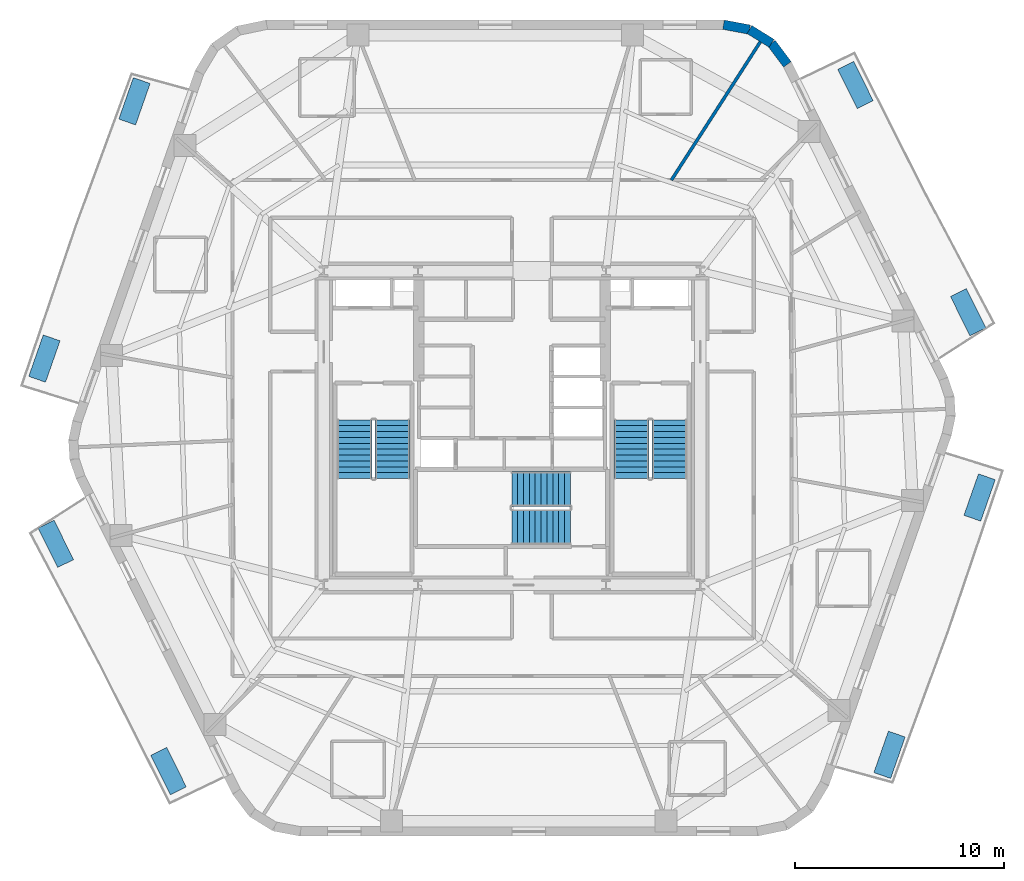
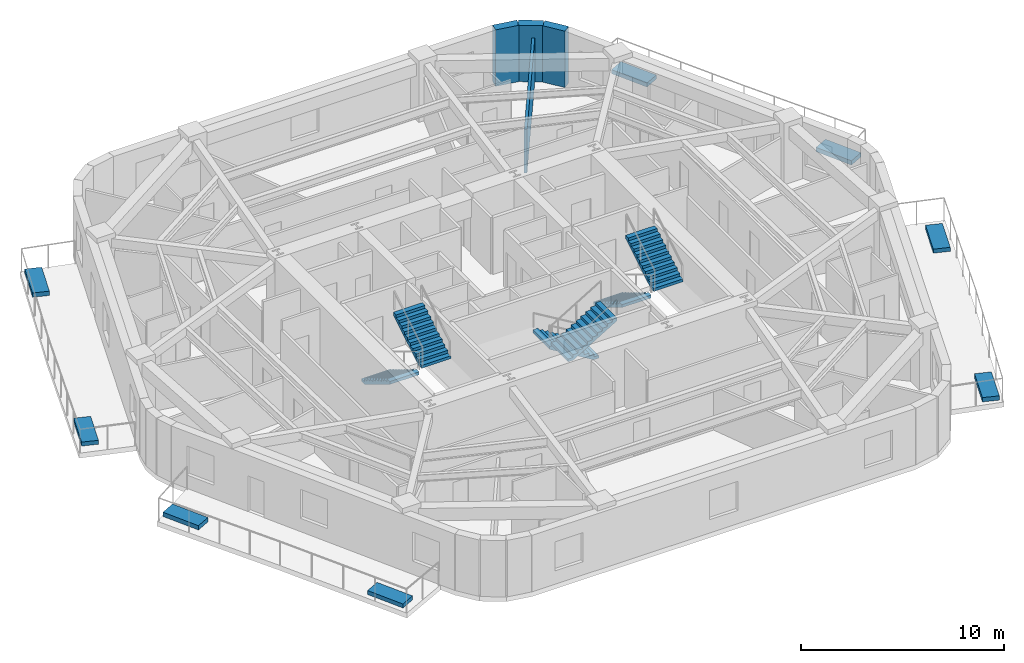
# One storey, part 7 of 10: 8 discrete accessories, 6 stair flights, 4 walls, 3 elements without a shape of their own.
"""IFC4 building model written with IfcOpenShell, lengths in metres."""

from ifc_helpers import new_model, si_unit, direction, frame, frame_2d, origin, origin_2d, place, context, subcontext, project, spatial, polyline, rectangle, outline, extrude, material, layer, layer_set, type_object, element, aggregate, save


model = new_model("IFC4")

# Units and contexts
model_context = context("Model", 3, precision=1e-05, world=origin(), true_north=direction((0.0, 1.0)))
body_context = subcontext(model_context, "Body", "Model", "MODEL_VIEW")
ifc_project = project(units=[si_unit("LENGTHUNIT", "METRE"), si_unit("AREAUNIT", "SQUARE_METRE"), si_unit("VOLUMEUNIT", "CUBIC_METRE"), si_unit("PLANEANGLEUNIT", "RADIAN"), si_unit("MASSUNIT", "GRAM", prefix="KILO")], contexts=[model_context])

# Site, building, storey
site_placement = place(None, origin())
site = spatial("IfcSite", under=ifc_project, at=site_placement, CompositionType="ELEMENT")
building_placement = place(site_placement, origin())
building = spatial("IfcBuilding", under=site, at=building_placement, Name="Kilnhurst Terrace Hotel", CompositionType="ELEMENT")
storey_placement = place(building_placement, frame((0.0, 0.0, 144.300048828125)))
storey = spatial("IfcBuildingStorey", under=building, at=storey_placement, Name="L35", CompositionType="ELEMENT", Elevation=144.300048828125)

# Walls
ifc_material_1 = material(Name="Precast concrete C40/50", Category="concrete")
ifc_layer_1 = layer(ifc_material_1, 0.449951171875, Name="Precast concrete C40/50")
ifc_layer_set_1 = layer_set([ifc_layer_1], Name="Precast concrete C40/50")
wall_type_1 = type_object("IfcWallType", Name="WL-BRK-450", PredefinedType="SOLIDWALL", material=ifc_layer_set_1)
wall_1_placement = place(storey_placement, frame((13.162353515625, 17.380615234375, 0.0), z_axis=(0.0, 0.0, 1.0), x_axis=(-0.601515770517, 0.798860925205, 0.0)))
element("IfcWall", 1, at=wall_1_placement, inside=storey, type_object=wall_type_1, Name="L35 Rounded Corner Brick Wall C4.1", PredefinedType="SOLIDWALL", context=body_context, shape_type="SweptSolid", body=[
    extrude(rectangle(XDim=1.261962890625, YDim=0.449951171875, at=frame_2d((0.630859375, 0.0))), origin(), (0.0, 0.0, 1.0), 3.39990234375),
])
wall_2_placement = place(storey_placement, frame((12.4033203125, 18.388671875, 0.0), z_axis=(0.0, 0.0, 1.0), x_axis=(-0.849795170926, 0.527113049991, 0.0)))
element("IfcWall", 2, at=wall_2_placement, inside=storey, type_object=wall_type_1, Name="L35 Rounded Corner Brick Wall C4.2", PredefinedType="SOLIDWALL", context=body_context, shape_type="SweptSolid", body=[
    extrude(rectangle(XDim=1.24072265625, YDim=0.449951171875, at=frame_2d((0.620361328125, 0.0))), origin(), (0.0, 0.0, 1.0), 3.39990234375),
])
wall_3_placement = place(storey_placement, frame((11.348876953125, 19.042724609375, 0.0), z_axis=(0.0, 0.0, 1.0), x_axis=(-0.982931267051, 0.183973161772, 0.0)))
element("IfcWall", 3, at=wall_3_placement, inside=storey, type_object=wall_type_1, Name="L35 Rounded Corner Brick Wall C4.3", PredefinedType="SOLIDWALL", context=body_context, shape_type="SweptSolid", body=[
    extrude(rectangle(XDim=1.261962890625, YDim=0.449951171875, at=frame_2d((0.630859375, 0.0))), origin(), (0.0, 0.0, 1.0), 3.39990234375),
])
ifc_material_2 = material(Name="STC-58 Acoustic Twin-Frame Guestroom Demising Partition")
ifc_layer_2 = layer(ifc_material_2, 0.14990234375, Name="STC-58 Acoustic Twin-Frame Guestroom Demising Partition")
ifc_layer_set_2 = layer_set([ifc_layer_2], Name="STC-58 Acoustic Twin-Frame Guestroom Demising Partition")
wall_type_2 = type_object("IfcWallType", Name="WL-DEM-150", PredefinedType="PARTITIONING", material=ifc_layer_set_2)
wall_4_placement = place(storey_placement, frame((7.619140625, 11.85009765625, 0.0), z_axis=(0.0, 0.0, 1.0), x_axis=(0.540829263478, 0.841132396098, 0.0)))
element("IfcWall", 4, at=wall_4_placement, inside=storey, type_object=wall_type_2, Name="L35 Interior Wall WL-L35-DEM-MID02-05-1", PredefinedType="PARTITIONING", context=body_context, shape_type="SweptSolid", body=[
    extrude(rectangle(XDim=7.919189453125, YDim=0.14990234375, at=frame_2d((3.95947265625, 0.0))), origin(), (0.0, 0.0, 1.0), 2.639892578125),
])

# Stair, stair flights
ifc_material_3 = material(Name="Concrete C50/60", Category="concrete")
stair_type = type_object("IfcStairType", Name="STR-CORE-1660", PredefinedType="HALF_TURN_STAIR", material=ifc_material_3)
stair_1_placement = place(storey_placement, origin())
stair_1 = element("IfcStair", 5, at=stair_1_placement, inside=storey, type_object=stair_type, Name="L35 ST-1", PredefinedType="HALF_TURN_STAIR")
stair_flight_type = type_object("IfcStairFlightType", Name="FLT-RC-1660", PredefinedType="STRAIGHT", material=ifc_material_3)
stair_flight_1_placement = place(storey_placement, frame((-7.52001953125, 0.389892578125, 0.0), z_axis=(0.0, 0.0, 1.0), x_axis=(0.0, -1.0, 0.0)))
stair_flight_1 = element("IfcStairFlight", 6, at=stair_flight_1_placement, type_object=stair_flight_type, Name="ST-1 flight 1", NumberOfRisers=11, NumberOfTreads=10, PredefinedType="STRAIGHT", RiserHeight=0.168181818, TreadLength=0.28, context=body_context, shape_type="SweptSolid", body=[
    extrude(outline(polyline([(0.0, 0.0), (0.0, 0.168212890625), (0.280029296875, 0.168212890625), (0.280029296875, 0.33642578125), (0.56005859375, 0.33642578125), (0.56005859375, 0.504638671875), (0.840087890625, 0.504638671875), (0.840087890625, 0.672607421875), (1.1201171875, 0.672607421875), (1.1201171875, 0.8408203125), (1.39990234375, 0.8408203125), (1.39990234375, 1.009033203125), (1.679931640625, 1.009033203125), (1.679931640625, 1.17724609375), (1.9599609375, 1.17724609375), (1.9599609375, 1.345458984375), (2.239990234375, 1.345458984375), (2.239990234375, 1.513671875), (2.52001953125, 1.513671875), (2.52001953125, 1.681884765625), (2.800048828125, 1.681884765625), (2.800048828125, 1.85009765625), (2.800048828125, 1.5068359375), (0.291015625, 0.0), (0.0, 0.0)])), frame((0.0, 0.830078125, 0.0), z_axis=(0.0, -1.0, 0.0), x_axis=(1.0, 0.0, 0.0)), (0.0, 0.0, 1.0), 1.659912109375),
])
stair_flight_2_placement = place(storey_placement, frame((-5.7099609375, -2.409912109375, 1.849853515625), z_axis=(0.0, 0.0, 1.0), x_axis=(0.0, 1.0, 0.0)))
stair_flight_2 = element("IfcStairFlight", 7, at=stair_flight_2_placement, type_object=stair_flight_type, Name="ST-1 flight 2", NumberOfRisers=11, NumberOfTreads=10, PredefinedType="STRAIGHT", RiserHeight=0.168181818, TreadLength=0.28, context=body_context, shape_type="SweptSolid", body=[
    extrude(outline(polyline([(0.0, 0.0), (0.0, 0.168212890625), (0.280029296875, 0.168212890625), (0.280029296875, 0.33642578125), (0.56005859375, 0.33642578125), (0.56005859375, 0.504638671875), (0.840087890625, 0.504638671875), (0.840087890625, 0.672607421875), (1.1201171875, 0.672607421875), (1.1201171875, 0.8408203125), (1.39990234375, 0.8408203125), (1.39990234375, 1.009033203125), (1.679931640625, 1.009033203125), (1.679931640625, 1.17724609375), (1.9599609375, 1.17724609375), (1.9599609375, 1.345458984375), (2.239990234375, 1.345458984375), (2.239990234375, 1.513671875), (2.52001953125, 1.513671875), (2.52001953125, 1.681884765625), (2.800048828125, 1.681884765625), (2.800048828125, 1.85009765625), (2.800048828125, 1.5068359375), (0.291015625, 0.0), (0.0, 0.0)])), frame((0.0, 0.830078125, 0.0), z_axis=(0.0, -1.0, 0.0), x_axis=(1.0, 0.0, 0.0)), (0.0, 0.0, 1.0), 1.659912109375),
])
aggregate(stair_1, [stair_flight_1, stair_flight_2])

stair_2_placement = place(storey_placement, origin())
stair_2 = element("IfcStair", 8, at=stair_2_placement, inside=storey, type_object=stair_type, Name="L35 ST-2", PredefinedType="HALF_TURN_STAIR")
stair_flight_3_placement = place(storey_placement, frame((5.7099609375, 0.389892578125, 0.0), z_axis=(0.0, 0.0, 1.0), x_axis=(0.0, -1.0, 0.0)))
stair_flight_3 = element("IfcStairFlight", 9, at=stair_flight_3_placement, type_object=stair_flight_type, Name="ST-2 flight 1", NumberOfRisers=11, NumberOfTreads=10, PredefinedType="STRAIGHT", RiserHeight=0.168181818, TreadLength=0.28, context=body_context, shape_type="SweptSolid", body=[
    extrude(outline(polyline([(0.0, 0.0), (0.0, 0.168212890625), (0.280029296875, 0.168212890625), (0.280029296875, 0.33642578125), (0.56005859375, 0.33642578125), (0.56005859375, 0.504638671875), (0.840087890625, 0.504638671875), (0.840087890625, 0.672607421875), (1.1201171875, 0.672607421875), (1.1201171875, 0.8408203125), (1.39990234375, 0.8408203125), (1.39990234375, 1.009033203125), (1.679931640625, 1.009033203125), (1.679931640625, 1.17724609375), (1.9599609375, 1.17724609375), (1.9599609375, 1.345458984375), (2.239990234375, 1.345458984375), (2.239990234375, 1.513671875), (2.52001953125, 1.513671875), (2.52001953125, 1.681884765625), (2.800048828125, 1.681884765625), (2.800048828125, 1.85009765625), (2.800048828125, 1.5068359375), (0.291015625, 0.0), (0.0, 0.0)])), frame((0.0, 0.830078125, 0.0), z_axis=(0.0, -1.0, 0.0), x_axis=(1.0, 0.0, 0.0)), (0.0, 0.0, 1.0), 1.659912109375),
])
stair_flight_4_placement = place(storey_placement, frame((7.52001953125, -2.409912109375, 1.849853515625), z_axis=(0.0, 0.0, 1.0), x_axis=(0.0, 1.0, 0.0)))
stair_flight_4 = element("IfcStairFlight", 10, at=stair_flight_4_placement, type_object=stair_flight_type, Name="ST-2 flight 2", NumberOfRisers=11, NumberOfTreads=10, PredefinedType="STRAIGHT", RiserHeight=0.168181818, TreadLength=0.28, context=body_context, shape_type="SweptSolid", body=[
    extrude(outline(polyline([(0.0, 0.0), (0.0, 0.168212890625), (0.280029296875, 0.168212890625), (0.280029296875, 0.33642578125), (0.56005859375, 0.33642578125), (0.56005859375, 0.504638671875), (0.840087890625, 0.504638671875), (0.840087890625, 0.672607421875), (1.1201171875, 0.672607421875), (1.1201171875, 0.8408203125), (1.39990234375, 0.8408203125), (1.39990234375, 1.009033203125), (1.679931640625, 1.009033203125), (1.679931640625, 1.17724609375), (1.9599609375, 1.17724609375), (1.9599609375, 1.345458984375), (2.239990234375, 1.345458984375), (2.239990234375, 1.513671875), (2.52001953125, 1.513671875), (2.52001953125, 1.681884765625), (2.800048828125, 1.681884765625), (2.800048828125, 1.85009765625), (2.800048828125, 1.5068359375), (0.291015625, 0.0), (0.0, 0.0)])), frame((0.0, 0.830078125, 0.0), z_axis=(0.0, -1.0, 0.0), x_axis=(1.0, 0.0, 0.0)), (0.0, 0.0, 1.0), 1.659912109375),
])
aggregate(stair_2, [stair_flight_3, stair_flight_4])

stair_3_placement = place(storey_placement, origin())
stair_3 = element("IfcStair", 11, at=stair_3_placement, inside=storey, type_object=stair_type, Name="L35 ST-3", PredefinedType="HALF_TURN_STAIR")
stair_flight_5_placement = place(storey_placement, frame((2.7900390625, -2.909912109375, 0.0), z_axis=(0.0, 0.0, 1.0), x_axis=(-1.0, 0.0, 0.0)))
stair_flight_5 = element("IfcStairFlight", 12, at=stair_flight_5_placement, type_object=stair_flight_type, Name="ST-3 flight 1", NumberOfRisers=11, NumberOfTreads=10, PredefinedType="STRAIGHT", RiserHeight=0.168181818, TreadLength=0.28, context=body_context, shape_type="SweptSolid", body=[
    extrude(outline(polyline([(0.0, 0.0), (0.0, 0.168212890625), (0.280029296875, 0.168212890625), (0.280029296875, 0.33642578125), (0.56005859375, 0.33642578125), (0.56005859375, 0.504638671875), (0.840087890625, 0.504638671875), (0.840087890625, 0.672607421875), (1.1201171875, 0.672607421875), (1.1201171875, 0.8408203125), (1.39990234375, 0.8408203125), (1.39990234375, 1.009033203125), (1.679931640625, 1.009033203125), (1.679931640625, 1.17724609375), (1.9599609375, 1.17724609375), (1.9599609375, 1.345458984375), (2.239990234375, 1.345458984375), (2.239990234375, 1.513671875), (2.52001953125, 1.513671875), (2.52001953125, 1.681884765625), (2.800048828125, 1.681884765625), (2.800048828125, 1.85009765625), (2.800048828125, 1.5068359375), (0.291015625, 0.0), (0.0, 0.0)])), frame((0.0, 0.830078125, 0.0), z_axis=(0.0, -1.0, 0.0), x_axis=(1.0, 0.0, 0.0)), (0.0, 0.0, 1.0), 1.659912109375),
])
stair_flight_6_placement = place(storey_placement, frame((-0.010009765625, -4.719970703125, 1.849853515625), z_axis=(0.0, 0.0, 1.0), x_axis=(1.0, 0.0, 0.0)))
stair_flight_6 = element("IfcStairFlight", 13, at=stair_flight_6_placement, type_object=stair_flight_type, Name="ST-3 flight 2", NumberOfRisers=11, NumberOfTreads=10, PredefinedType="STRAIGHT", RiserHeight=0.168181818, TreadLength=0.28, context=body_context, shape_type="SweptSolid", body=[
    extrude(outline(polyline([(0.0, 0.0), (0.0, 0.168212890625), (0.280029296875, 0.168212890625), (0.280029296875, 0.33642578125), (0.56005859375, 0.33642578125), (0.56005859375, 0.504638671875), (0.840087890625, 0.504638671875), (0.840087890625, 0.672607421875), (1.1201171875, 0.672607421875), (1.1201171875, 0.8408203125), (1.39990234375, 0.8408203125), (1.39990234375, 1.009033203125), (1.679931640625, 1.009033203125), (1.679931640625, 1.17724609375), (1.9599609375, 1.17724609375), (1.9599609375, 1.345458984375), (2.239990234375, 1.345458984375), (2.239990234375, 1.513671875), (2.52001953125, 1.513671875), (2.52001953125, 1.681884765625), (2.800048828125, 1.681884765625), (2.800048828125, 1.85009765625), (2.800048828125, 1.5068359375), (0.291015625, 0.0), (0.0, 0.0)])), frame((0.0, 0.830078125, 0.0), z_axis=(0.0, -1.0, 0.0), x_axis=(1.0, 0.0, 0.0)), (0.0, 0.0, 1.0), 1.659912109375),
])
aggregate(stair_3, [stair_flight_5, stair_flight_6])

# Discrete accessories
ifc_material_4 = material(Name="Precast Concrete C40/50 Shrub Planter", Category="concrete")
discrete_accessory_type_1 = type_object("IfcDiscreteAccessoryType", Name="PLN-SHRUB-240", PredefinedType="USERDEFINED", material=ifc_material_4)
for number, where, z_axis, x_axis, name in (
    (14, (22.34619140625, -3.319580078125, 0.0), (0.0, 0.0, 1.0), (0.330432029284, 0.943829790811, 0.0), "L35 Structural Tree Planter Box PLANTER BAL-L1A.2"),
    (15, (16.414306640625, 16.393310546875, 0.0), (0.0, 0.0, 1.0), (-0.444244308887, 0.895905683664, 0.0), "L35 Structural Tree Planter Box PLANTER BAL-L1B.2"),
    (16, (-22.34619140625, 3.319580078125, 0.0), (0.0, 0.0, 1.0), (-0.330432029284, -0.943829790811, 0.0), "L35 Structural Tree Planter Box PLANTER BAL-L2A.2"),
    (17, (-16.414306640625, -16.393310546875, 0.0), (0.0, 0.0, 1.0), (0.444244308887, -0.895905683664, 0.0), "L35 Structural Tree Planter Box PLANTER BAL-L2B.2"),
):
    element("IfcDiscreteAccessory", number, at=place(storey_placement, frame(where, z_axis=z_axis, x_axis=x_axis)), inside=storey, type_object=discrete_accessory_type_1, Name=name, ObjectType="PLANTER", PredefinedType="USERDEFINED", context=body_context, shape_type="SweptSolid", body=[
        extrude(rectangle(XDim=2.10009765625, YDim=0.85009765625, at=origin_2d()), origin(), (0.0, 0.0, 1.0), 0.239990234375),
    ])
ifc_material_5 = material(Name="Precast Concrete C40/50 Tree Planter", Category="concrete")
discrete_accessory_type_2 = type_object("IfcDiscreteAccessoryType", Name="PLN-TREE-260", PredefinedType="USERDEFINED", material=ifc_material_5)
for number, where, z_axis, x_axis, name in (
    (18, (18.04150390625, -15.614990234375, 0.0), (0.0, 0.0, 1.0), (0.330432029284, 0.943829790811, 0.0), "L35 Structural Tree Planter Box PLANTER BAL-L1A.1"),
    (19, (21.79833984375, 5.535400390625, 0.0), (0.0, 0.0, 1.0), (-0.444244308887, 0.895905683664, 0.0), "L35 Structural Tree Planter Box PLANTER BAL-L1B.1"),
    (20, (-18.04150390625, 15.614990234375, 0.0), (0.0, 0.0, 1.0), (-0.330432029284, -0.943829790811, 0.0), "L35 Structural Tree Planter Box PLANTER BAL-L2A.1"),
    (21, (-21.79833984375, -5.535400390625, 0.0), (0.0, 0.0, 1.0), (0.444244308887, -0.895905683664, 0.0), "L35 Structural Tree Planter Box PLANTER BAL-L2B.1"),
):
    element("IfcDiscreteAccessory", number, at=place(storey_placement, frame(where, z_axis=z_axis, x_axis=x_axis)), inside=storey, type_object=discrete_accessory_type_2, Name=name, ObjectType="PLANTER", PredefinedType="USERDEFINED", context=body_context, shape_type="SweptSolid", body=[
        extrude(rectangle(XDim=2.10009765625, YDim=0.85009765625, at=origin_2d()), origin(), (0.0, 0.0, 1.0), 0.260009765625),
    ])

save(model, "model.ifc")
